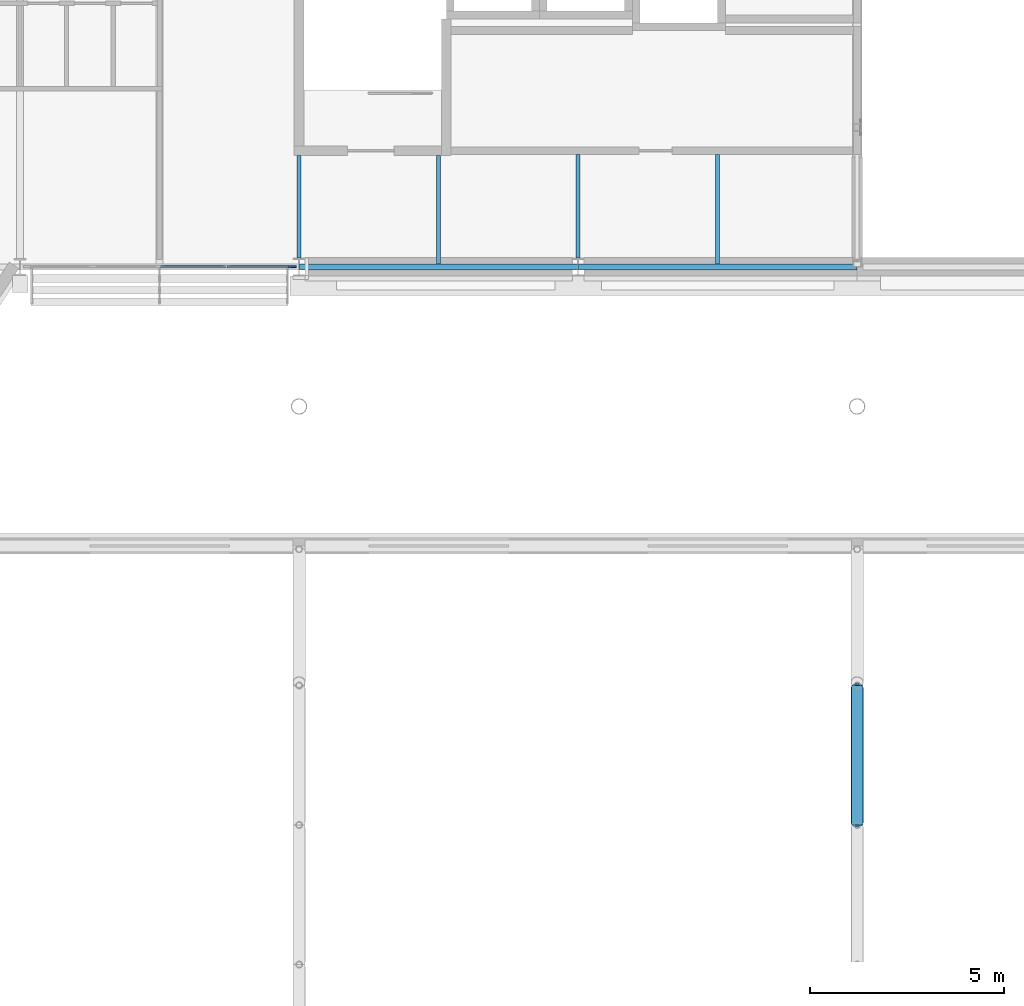
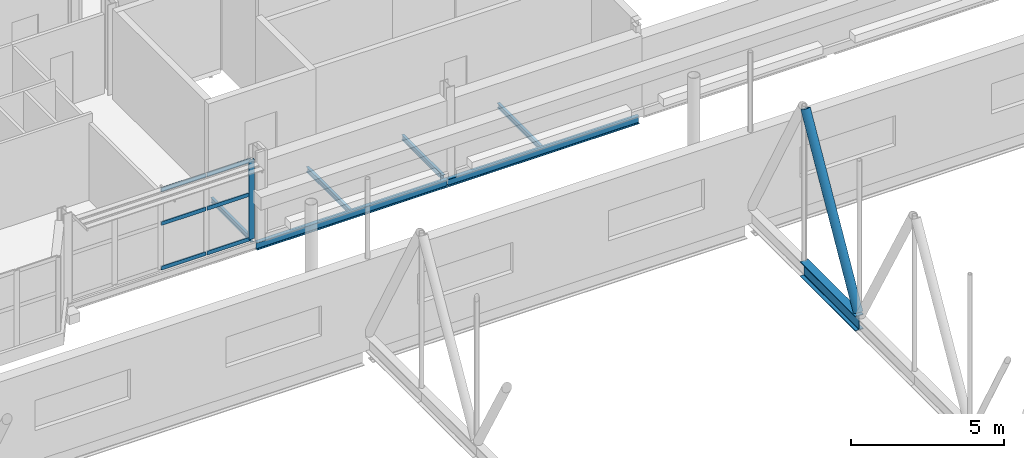
# One storey, part 68 of 142: 9 members, 6 beams, 1 element without a shape of its own.
"""IFC4 building model written with IfcOpenShell, lengths in metres."""

from ifc_helpers import new_model, si_unit, direction, frame, origin, origin_2d, place, context, subcontext, project, spatial, rectangle, hollow_circle, i_section, extrude, material, material_profile, profile_set, type_object, element, aggregate, save


model = new_model("IFC4")

# Units and contexts
model_context = context("Model", 3, precision=1e-05, world=origin(), true_north=direction((0.0, 1.0)))
body_context = subcontext(model_context, "Body", "Model", "MODEL_VIEW")
ifc_project = project(units=[si_unit("LENGTHUNIT", "METRE"), si_unit("AREAUNIT", "SQUARE_METRE"), si_unit("VOLUMEUNIT", "CUBIC_METRE"), si_unit("PLANEANGLEUNIT", "RADIAN"), si_unit("MASSUNIT", "GRAM", prefix="KILO")], contexts=[model_context])

# Site, building, storey
site_placement = place(None, origin())
site = spatial("IfcSite", under=ifc_project, at=site_placement, CompositionType="ELEMENT")
building_placement = place(site_placement, origin())
building = spatial("IfcBuilding", under=site, at=building_placement, Name="Kupolbacken Congress Centre", CompositionType="ELEMENT")
storey_placement = place(building_placement, frame((0.0, 0.0, 14.39990234375)))
storey = spatial("IfcBuildingStorey", under=building, at=storey_placement, Name="L04", CompositionType="ELEMENT", Elevation=14.39990234375)

# Beams
ifc_material_1 = material(Name="Steel S355", Category="steel")
ifc_material_profile_1 = material_profile(ifc_material_1, i_section(OverallWidth=0.10009765625, OverallDepth=0.199951171875, WebThickness=0.005615234375, FlangeThickness=0.008544921875, FilletRadius=0.011962890625, at=origin_2d()), Name="IPE 200")
ifc_profile_set_1 = profile_set([ifc_material_profile_1], Name="Steel S355")
beam_type_1 = type_object("IfcBeamType", Name="B01 beam IPE 200", PredefinedType="BEAM", material=ifc_profile_set_1)
beam_1_placement = place(storey_placement, frame((136.800048828125, 122.625, -0.239990234375), z_axis=(0.0, 1.0, 0.0), x_axis=(-1.0, 0.0, 0.0)))
element("IfcBeam", 1, at=beam_1_placement, inside=storey, type_object=beam_type_1, Name="S/floor/T/L04/S076", PredefinedType="BEAM", context=body_context, shape_type="SweptSolid", body=[
    extrude(i_section(OverallWidth=0.10009765625, OverallDepth=0.199951171875, WebThickness=0.005615234375, FlangeThickness=0.008544921875, FilletRadius=0.011962890625, at=origin_2d()), origin(), (0.0, 0.0, 1.0), 2.64990234375),
])
beam_2_placement = place(storey_placement, frame((144.0, 122.625, -0.27978515625), z_axis=(0.0, 1.0, 0.0), x_axis=(-1.0, 0.0, 0.0)))
element("IfcBeam", 2, at=beam_2_placement, inside=storey, type_object=beam_type_1, Name="S/floor/BF/L04/G002", PredefinedType="BEAM", context=body_context, shape_type="SweptSolid", body=[
    extrude(i_section(OverallWidth=0.10009765625, OverallDepth=0.199951171875, WebThickness=0.005615234375, FlangeThickness=0.008544921875, FilletRadius=0.011962890625, at=origin_2d()), origin(), (0.0, 0.0, 1.0), 2.675048828125),
])
beam_3_placement = place(storey_placement, frame((140.39990234375, 122.47509765625, -0.27978515625), z_axis=(0.0, 1.0, 0.0), x_axis=(-1.0, 0.0, 0.0)))
element("IfcBeam", 3, at=beam_3_placement, inside=storey, type_object=beam_type_1, Name="S/floor/BF/L04/S016", PredefinedType="BEAM", context=body_context, shape_type="SweptSolid", body=[
    extrude(i_section(OverallWidth=0.10009765625, OverallDepth=0.199951171875, WebThickness=0.005615234375, FlangeThickness=0.008544921875, FilletRadius=0.011962890625, at=origin_2d()), origin(), (0.0, 0.0, 1.0), 2.7998046875),
])
beam_4_placement = place(storey_placement, frame((147.60009765625, 122.47509765625, -0.27978515625), z_axis=(0.0, 1.0, 0.0), x_axis=(-1.0, 0.0, 0.0)))
element("IfcBeam", 4, at=beam_4_placement, inside=storey, type_object=beam_type_1, Name="S/floor/BF/L04/S020", PredefinedType="BEAM", context=body_context, shape_type="SweptSolid", body=[
    extrude(i_section(OverallWidth=0.10009765625, OverallDepth=0.199951171875, WebThickness=0.005615234375, FlangeThickness=0.008544921875, FilletRadius=0.011962890625, at=origin_2d()), origin(), (0.0, 0.0, 1.0), 2.824951171875),
])
ifc_material_2 = material(Name="Steel S355", Category="steel")
ifc_material_profile_2 = material_profile(ifc_material_2, i_section(OverallWidth=0.14990234375, OverallDepth=0.300048828125, WebThickness=0.007080078125, FlangeThickness=0.0107421875, FilletRadius=0.014892578125, at=origin_2d()), Name="IPE 300")
ifc_profile_set_2 = profile_set([ifc_material_profile_2], Name="Steel S355")
beam_type_2 = type_object("IfcBeamType", Name="B04 beam IPE 300", PredefinedType="BEAM", material=ifc_profile_set_2)
beam_5_placement = place(storey_placement, frame((136.806884765625, 122.39990234375, -0.329833984375), z_axis=(1.0, 0.0, 0.0), x_axis=(0.0, 1.0, 0.0)))
element("IfcBeam", 5, at=beam_5_placement, inside=storey, type_object=beam_type_2, Name="S/floor/BF/L04/R008", PredefinedType="BEAM", context=body_context, shape_type="SweptSolid", body=[
    extrude(i_section(OverallWidth=0.14990234375, OverallDepth=0.300048828125, WebThickness=0.007080078125, FlangeThickness=0.0107421875, FilletRadius=0.014892578125, at=origin_2d()), origin(), (0.0, 0.0, 1.0), 7.18603515625),
])
beam_6_placement = place(storey_placement, frame((144.007080078125, 122.39990234375, -0.329833984375), z_axis=(1.0, 0.0, 0.0), x_axis=(0.0, 1.0, 0.0)))
element("IfcBeam", 6, at=beam_6_placement, inside=storey, type_object=beam_type_2, Name="S/floor/BF/L04/R009", PredefinedType="BEAM", context=body_context, shape_type="SweptSolid", body=[
    extrude(i_section(OverallWidth=0.14990234375, OverallDepth=0.300048828125, WebThickness=0.007080078125, FlangeThickness=0.0107421875, FilletRadius=0.014892578125, at=origin_2d()), origin(), (0.0, 0.0, 1.0), 7.1875),
])

# Members
ifc_material_3 = material(Name="Steel S355", Category="steel")
ifc_material_profile_3 = material_profile(ifc_material_3, i_section(OverallWidth=0.300048828125, OverallDepth=0.60009765625, WebThickness=0.015380859375, FlangeThickness=0.030029296875, FilletRadius=0.027099609375, at=origin_2d()), Name="HEB 600")
ifc_profile_set_3 = profile_set([ifc_material_profile_3], Name="Steel S355")
member_type_1 = type_object("IfcMemberType", Name="M02 transfer truss chord HEB 600", PredefinedType="CHORD", material=ifc_profile_set_3)
member_1_placement = place(storey_placement, frame((151.199951171875, 108.0, 0.2900390625), z_axis=(0.0, 1.0, 0.0), x_axis=(-1.0, 0.0, 0.0)))
element("IfcMember", 7, at=member_1_placement, inside=storey, type_object=member_type_1, Name="HT/T5/BC19", PredefinedType="CHORD", context=body_context, shape_type="SweptSolid", body=[
    extrude(i_section(OverallWidth=0.300048828125, OverallDepth=0.60009765625, WebThickness=0.015380859375, FlangeThickness=0.030029296875, FilletRadius=0.027099609375, at=origin_2d()), origin(), (0.0, 0.0, 1.0), 3.60009765625),
])
ifc_material_4 = material(Name="Steel S355", Category="steel")
ifc_material_profile_4 = material_profile(ifc_material_4, hollow_circle(Radius=0.161865234375, WallThickness=0.012451171875, at=origin_2d()), Name="CHS 323.9 x 12.5")
ifc_profile_set_4 = profile_set([ifc_material_profile_4], Name="Steel S355")
member_type_2 = type_object("IfcMemberType", Name="M04 transfer truss web CHS 323.9 x 12.5", PredefinedType="BRACE", material=ifc_profile_set_4)
member_2_placement = place(storey_placement, frame((151.199951171875, 108.084228515625, 0.658935546875), z_axis=(0.0, 0.494455978115, 0.869202672399), x_axis=(-1.0, 0.0, 0.0)))
element("IfcMember", 8, at=member_2_placement, inside=storey, type_object=member_type_2, Name="HT/T5/D19", PredefinedType="BRACE", context=body_context, shape_type="SweptSolid", body=[
    extrude(hollow_circle(Radius=0.161865234375, WallThickness=0.012451171875, at=origin_2d()), origin(), (0.0, 0.0, 1.0), 6.940185546875),
])

# Curtain wall, members
ifc_material_5 = material(Name="Aluminium mullion-transom frame with glass", Category="aluminium")
curtain_wall_type = type_object("IfcCurtainWallType", Name="CW1 curtain wall 7200x3600", PredefinedType="NOTDEFINED", material=ifc_material_5)
curtain_wall_placement = place(storey_placement, origin())
curtain_wall = element("IfcCurtainWall", 9, at=curtain_wall_placement, inside=storey, type_object=curtain_wall_type, Name="E/T/S/L04/057/g0", PredefinedType="NOTDEFINED")
ifc_material_6 = material(Name="Aluminium alloy", Category="aluminium")
ifc_material_profile_5 = material_profile(ifc_material_6, rectangle(XDim=0.050048828125, YDim=0.199951171875, at=origin_2d()), Name="50 x 200")
ifc_profile_set_5 = profile_set([ifc_material_profile_5], Name="Aluminium alloy")
member_type_3 = type_object("IfcMemberType", Name="MU2 mullion 50x200", PredefinedType="MULLION", material=ifc_profile_set_5)
member_3_placement = place(storey_placement, frame((136.625, 122.39990234375, 0.0), z_axis=(0.0, 0.0, 1.0), x_axis=(0.0, 1.0, 0.0)))
member_3 = element("IfcMember", 10, at=member_3_placement, type_object=member_type_3, Name="CW1 mullion 5", PredefinedType="MULLION", context=body_context, shape_type="SweptSolid", body=[
    extrude(rectangle(XDim=0.050048828125, YDim=0.199951171875, at=origin_2d()), origin(), (0.0, 0.0, 1.0), 3.16015625),
])
ifc_material_7 = material(Name="Aluminium alloy", Category="aluminium")
ifc_material_profile_6 = material_profile(ifc_material_7, rectangle(XDim=0.050048828125, YDim=0.14990234375, at=origin_2d()), Name="50 x 150")
ifc_profile_set_6 = profile_set([ifc_material_profile_6], Name="Aluminium alloy")
member_type_4 = type_object("IfcMemberType", Name="TR2 transom 50x150", PredefinedType="MULLION", material=ifc_profile_set_6)
member_4_placement = place(storey_placement, frame((133.226806640625, 122.39990234375, 0.025146484375), z_axis=(1.0, 0.0, 0.0), x_axis=(0.0, 1.0, 0.0)))
member_4 = element("IfcMember", 11, at=member_4_placement, type_object=member_type_4, Name="CW1 transom 3.1", PredefinedType="MULLION", context=body_context, shape_type="SweptSolid", body=[
    extrude(rectangle(XDim=0.050048828125, YDim=0.14990234375, at=origin_2d()), origin(), (0.0, 0.0, 1.0), 1.674072265625),
])
member_5_placement = place(storey_placement, frame((133.226806640625, 122.39990234375, 1.800048828125), z_axis=(1.0, 0.0, 0.0), x_axis=(0.0, 1.0, 0.0)))
member_5 = element("IfcMember", 12, at=member_5_placement, type_object=member_type_4, Name="CW1 transom 3.2", PredefinedType="MULLION", context=body_context, shape_type="SweptSolid", body=[
    extrude(rectangle(XDim=0.050048828125, YDim=0.14990234375, at=origin_2d()), origin(), (0.0, 0.0, 1.0), 1.674072265625),
])
member_6_placement = place(storey_placement, frame((133.226806640625, 122.39990234375, 3.135009765625), z_axis=(1.0, 0.0, 0.0), x_axis=(0.0, 1.0, 0.0)))
member_6 = element("IfcMember", 13, at=member_6_placement, type_object=member_type_4, Name="CW1 transom 3.3", PredefinedType="MULLION", context=body_context, shape_type="SweptSolid", body=[
    extrude(rectangle(XDim=0.050048828125, YDim=0.14990234375, at=origin_2d()), origin(), (0.0, 0.0, 1.0), 1.674072265625),
])
member_7_placement = place(storey_placement, frame((134.950927734375, 122.39990234375, 0.025146484375), z_axis=(1.0, 0.0, 0.0), x_axis=(0.0, 1.0, 0.0)))
member_7 = element("IfcMember", 14, at=member_7_placement, type_object=member_type_4, Name="CW1 transom 4.1", PredefinedType="MULLION", context=body_context, shape_type="SweptSolid", body=[
    extrude(rectangle(XDim=0.050048828125, YDim=0.14990234375, at=origin_2d()), origin(), (0.0, 0.0, 1.0), 1.649169921875),
])
member_8_placement = place(storey_placement, frame((134.950927734375, 122.39990234375, 1.800048828125), z_axis=(1.0, 0.0, 0.0), x_axis=(0.0, 1.0, 0.0)))
member_8 = element("IfcMember", 15, at=member_8_placement, type_object=member_type_4, Name="CW1 transom 4.2", PredefinedType="MULLION", context=body_context, shape_type="SweptSolid", body=[
    extrude(rectangle(XDim=0.050048828125, YDim=0.14990234375, at=origin_2d()), origin(), (0.0, 0.0, 1.0), 1.649169921875),
])
member_9_placement = place(storey_placement, frame((134.950927734375, 122.39990234375, 3.135009765625), z_axis=(1.0, 0.0, 0.0), x_axis=(0.0, 1.0, 0.0)))
member_9 = element("IfcMember", 16, at=member_9_placement, type_object=member_type_4, Name="CW1 transom 4.3", PredefinedType="MULLION", context=body_context, shape_type="SweptSolid", body=[
    extrude(rectangle(XDim=0.050048828125, YDim=0.14990234375, at=origin_2d()), origin(), (0.0, 0.0, 1.0), 1.649169921875),
])
aggregate(curtain_wall, [member_3, member_4, member_5, member_6, member_7, member_8, member_9])

save(model, "model.ifc")
